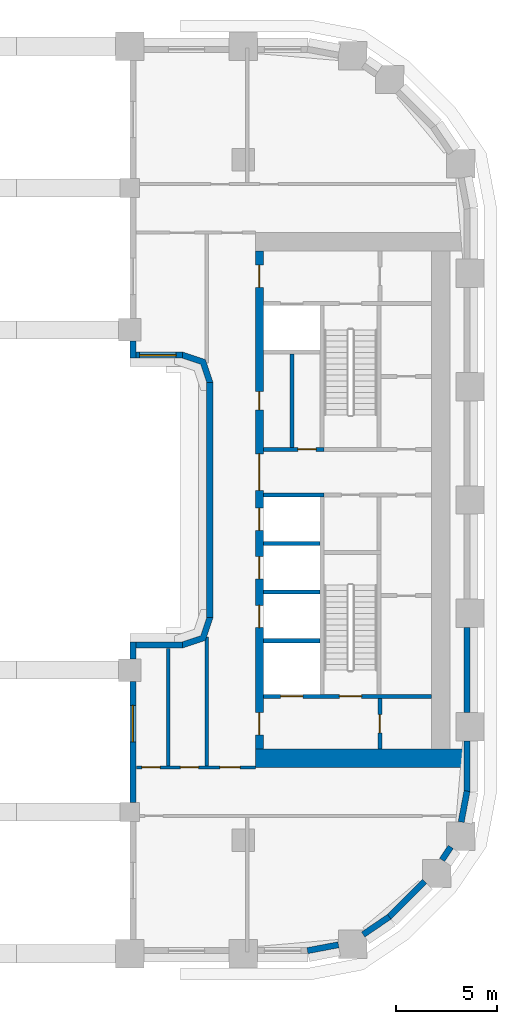
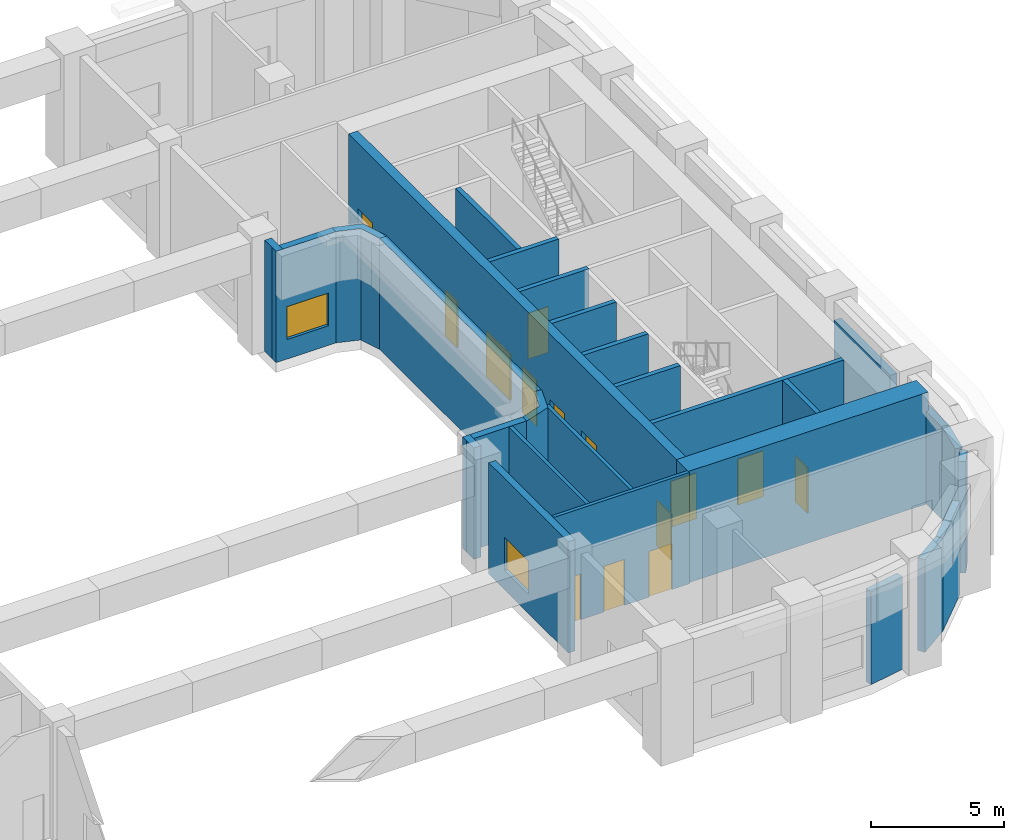
# One storey, part 4 of 14: 28 walls, 14 doors, 2 windows, 16 openings.
"""IFC4 building model written with IfcOpenShell, lengths in metres."""

from ifc_helpers import new_model, si_unit, direction, frame, frame_2d, origin, place, context, subcontext, project, spatial, polyline, rectangle, outline, extrude, material, layer, layer_set, type_object, element, fill, save


model = new_model("IFC4")

# Units and contexts
model_context = context("Model", 3, precision=1e-05, world=origin(), true_north=direction((0.0, 1.0)))
body_context = subcontext(model_context, "Body", "Model", "MODEL_VIEW")
ifc_project = project(units=[si_unit("LENGTHUNIT", "METRE"), si_unit("AREAUNIT", "SQUARE_METRE"), si_unit("VOLUMEUNIT", "CUBIC_METRE"), si_unit("PLANEANGLEUNIT", "RADIAN"), si_unit("MASSUNIT", "GRAM", prefix="KILO")], contexts=[model_context])

# Site, building, storey
site_placement = place(None, origin())
site = spatial("IfcSite", under=ifc_project, at=site_placement, CompositionType="ELEMENT")
building_placement = place(site_placement, origin())
building = spatial("IfcBuilding", under=site, at=building_placement, Name="Kiln Ring Residences", CompositionType="ELEMENT")
storey_placement = place(building_placement, frame((0.0, 0.0, 77.89990234375)))
storey = spatial("IfcBuildingStorey", under=building, at=storey_placement, Name="L19", CompositionType="ELEMENT", Elevation=77.89990234375)

# Wall
ifc_material_1 = material(Name="Gypsum board on steel studs", Category="steel")
ifc_layer_1 = layer(ifc_material_1, 0.199951171875)
ifc_layer_set_1 = layer_set([ifc_layer_1], Name="CORE-PARTITION-200")
wall_type_1 = type_object("IfcWallType", Name="CORE-PARTITION-200", PredefinedType="PARTITIONING", material=ifc_layer_set_1)
wall_1_placement = place(storey_placement, frame((19.199951171875, 2.60009765625, 0.0), z_axis=(0.0, 0.0, 1.0), x_axis=(0.0, 1.0, 0.0)))
element("IfcWall", 1, at=wall_1_placement, inside=storey, type_object=wall_type_1, Name="Core partition east L19 3", PredefinedType="PARTITIONING", context=body_context, shape_type="SweptSolid", body=[
    extrude(rectangle(XDim=4.599853515625, YDim=0.199951171875, at=frame_2d((2.2998046875, 0.0))), origin(), (0.0, 0.0, 1.0), 5.10009765625),
])

# Wall, opening, door
wall_2_placement = place(storey_placement, frame((23.550048828125, -12.300048828125, 0.0), z_axis=(0.0, 0.0, 1.0), x_axis=(0.0, 1.0, 0.0)))
wall_2 = element("IfcWall", 2, at=wall_2_placement, inside=storey, type_object=wall_type_1, Name="Core partition east L19 5", PredefinedType="PARTITIONING", context=body_context, shape_type="SweptSolid", body=[
    extrude(rectangle(XDim=2.5, YDim=0.199951171875, at=frame_2d((1.25, 0.0))), origin(), (0.0, 0.0, 1.0), 5.10009765625),
])
opening_1_placement = place(wall_2_placement, frame((0.800048828125, 0.0, 0.0)))
opening_1 = element("IfcOpeningElement", 3, at=opening_1_placement, cuts=wall_2, Name="Opening L19-CE11", PredefinedType="OPENING", context=body_context, shape_type="SweptSolid", body=[
    extrude(rectangle(XDim=0.89990234375, YDim=2.10009765625, at=frame_2d((0.449951171875, 1.050048828125))), frame((0.0, 0.10986328125, 0.0), z_axis=(0.0, -1.0, 0.0), x_axis=(1.0, 0.0, 0.0)), (0.0, 0.0, 1.0), 0.219970703125),
])
ifc_material_2 = material(Name="Steel door leaf", Category="steel")
door_type_1 = type_object("IfcDoorType", Name="CORE-DOOR-ROOM", OperationType="SINGLE_SWING_LEFT", PredefinedType="DOOR", material=ifc_material_2)
door_1_placement = place(opening_1_placement, origin())
door_1 = element("IfcDoor", 4, at=door_1_placement, inside=storey, type_object=door_type_1, Name="Store L19-CE11", OperationType="SINGLE_SWING_RIGHT", OverallHeight=2.10009765625, OverallWidth=0.89990234375, PredefinedType="DOOR", context=body_context, shape_type="SweptSolid", body=[
    extrude(rectangle(XDim=0.89990234375, YDim=2.10009765625, at=frame_2d((0.449951171875, 1.050048828125))), frame((0.0, 0.02490234375, 0.0), z_axis=(0.0, -1.0, 0.0), x_axis=(1.0, 0.0, 0.0)), (0.0, 0.0, 1.0), 0.050048828125),
])
fill(opening_1, door_1)

# Walls
ifc_material_3 = material(Name="Gypsum shaft wall system")
ifc_layer_2 = layer(ifc_material_3, 0.199951171875)
ifc_layer_set_2 = layer_set([ifc_layer_2], Name="CORE-SHAFT-WALL-200")
wall_type_2 = type_object("IfcWallType", Name="CORE-SHAFT-WALL-200", PredefinedType="PARTITIONING", material=ifc_layer_set_2)
for number, where, z_axis, x_axis, name in (
    (5, (17.800048828125, -6.949951171875, 0.0), (0.0, 0.0, 1.0), (1.0, 0.0, 0.0), "Core partition east L19 8"),
    (6, (17.800048828125, -4.550048828125, 0.0), (0.0, 0.0, 1.0), (1.0, 0.0, 0.0), "Core partition east L19 9"),
    (7, (17.800048828125, -2.14990234375, 0.0), (0.0, 0.0, 1.0), (1.0, 0.0, 0.0), "Core partition east L19 10"),
):
    element("IfcWall", number, at=place(storey_placement, frame(where, z_axis=z_axis, x_axis=x_axis)), inside=storey, type_object=wall_type_2, Name=name, PredefinedType="PARTITIONING", context=body_context, shape_type="SweptSolid", body=[
        extrude(rectangle(XDim=2.800048828125, YDim=0.199951171875, at=frame_2d((1.39990234375, 0.0))), origin(), (0.0, 0.0, 1.0), 5.10009765625),
    ])
wall_3_placement = place(storey_placement, frame((17.800048828125, 0.25, 0.0), z_axis=(0.0, 0.0, 1.0), x_axis=(1.0, 0.0, 0.0)))
element("IfcWall", 8, at=wall_3_placement, inside=storey, type_object=wall_type_2, Name="Core partition east L19 11", PredefinedType="PARTITIONING", context=body_context, shape_type="SweptSolid", body=[
    extrude(rectangle(XDim=3.0, YDim=0.199951171875, at=frame_2d((1.5, 0.0))), origin(), (0.0, 0.0, 1.0), 5.10009765625),
])

# Wall, opening, door
wall_4_placement = place(storey_placement, frame((17.800048828125, 2.5, 0.0), z_axis=(0.0, 0.0, 1.0), x_axis=(1.0, 0.0, 0.0)))
wall_4 = element("IfcWall", 9, at=wall_4_placement, inside=storey, type_object=wall_type_2, Name="Core partition east L19 12", PredefinedType="PARTITIONING", context=body_context, shape_type="SweptSolid", body=[
    extrude(rectangle(XDim=3.0, YDim=0.199951171875, at=frame_2d((1.5, 0.0))), origin(), (0.0, 0.0, 1.0), 5.10009765625),
])
opening_2_placement = place(wall_4_placement, frame((1.699951171875, 0.0, 0.0)))
opening_2 = element("IfcOpeningElement", 10, at=opening_2_placement, cuts=wall_4, Name="Opening L19-CE06", PredefinedType="OPENING", context=body_context, shape_type="SweptSolid", body=[
    extrude(rectangle(XDim=0.89990234375, YDim=2.10009765625, at=frame_2d((0.449951171875, 1.050048828125))), frame((0.0, 0.10986328125, 0.0), z_axis=(0.0, -1.0, 0.0), x_axis=(1.0, 0.0, 0.0)), (0.0, 0.0, 1.0), 0.219970703125),
])
door_2_placement = place(opening_2_placement, origin())
door_2 = element("IfcDoor", 11, at=door_2_placement, inside=storey, type_object=door_type_1, Name="Linen store L19-CE06", OperationType="SINGLE_SWING_RIGHT", OverallHeight=2.10009765625, OverallWidth=0.89990234375, PredefinedType="DOOR", context=body_context, shape_type="SweptSolid", body=[
    extrude(rectangle(XDim=0.89990234375, YDim=2.10009765625, at=frame_2d((0.449951171875, 1.050048828125))), frame((0.0, 0.02490234375, 0.0), z_axis=(0.0, -1.0, 0.0), x_axis=(1.0, 0.0, 0.0)), (0.0, 0.0, 1.0), 0.050048828125),
])
fill(opening_2, door_2)

# Wall, openings, doors
ifc_material_4 = material(Name="Concrete C40/50", Category="concrete")
ifc_layer_3 = layer(ifc_material_4, 0.199951171875)
ifc_layer_set_3 = layer_set([ifc_layer_3], Name="CORE-WALL-RC200")
wall_type_3 = type_object("IfcWallType", Name="CORE-WALL-RC200", PredefinedType="SHEAR", material=ifc_layer_set_3)
wall_5_placement = place(storey_placement, frame((17.800048828125, -9.699951171875, 0.0), z_axis=(0.0, 0.0, 1.0), x_axis=(1.0, 0.0, 0.0)))
wall_5 = element("IfcWall", 12, at=wall_5_placement, inside=storey, type_object=wall_type_3, Name="Core wall east L19 8", PredefinedType="SHEAR", context=body_context, shape_type="SweptSolid", body=[
    extrude(rectangle(XDim=8.300048828125, YDim=0.199951171875, at=frame_2d((4.14990234375, 0.0))), origin(), (0.0, 0.0, 1.0), 5.10009765625),
])
opening_3_placement = place(wall_5_placement, frame((0.85009765625, 0.0, 0.0)))
opening_3 = element("IfcOpeningElement", 13, at=opening_3_placement, cuts=wall_5, Name="Opening L19-CE01", PredefinedType="OPENING", context=body_context, shape_type="SweptSolid", body=[
    extrude(rectangle(XDim=1.10009765625, YDim=2.10009765625, at=frame_2d((0.550048828125, 1.050048828125))), frame((0.0, 0.10986328125, 0.0), z_axis=(0.0, -1.0, 0.0), x_axis=(1.0, 0.0, 0.0)), (0.0, 0.0, 1.0), 0.219970703125),
])
opening_4_placement = place(wall_5_placement, frame((3.75, 0.0, 0.0)))
opening_4 = element("IfcOpeningElement", 14, at=opening_4_placement, cuts=wall_5, Name="Opening L19-CE13", PredefinedType="OPENING", context=body_context, shape_type="SweptSolid", body=[
    extrude(rectangle(XDim=1.10009765625, YDim=2.10009765625, at=frame_2d((0.550048828125, 1.050048828125))), frame((0.0, 0.10986328125, 0.0), z_axis=(0.0, -1.0, 0.0), x_axis=(1.0, 0.0, 0.0)), (0.0, 0.0, 1.0), 0.219970703125),
])
ifc_material_5 = material(Name="Steel door leaf", Category="steel")
door_type_2 = type_object("IfcDoorType", Name="CORE-DOOR-LD", OperationType="DOUBLE_DOOR_SLIDING", PredefinedType="DOOR", material=ifc_material_5)
door_3_placement = place(opening_3_placement, origin())
door_3 = element("IfcDoor", 15, at=door_3_placement, inside=storey, type_object=door_type_2, Name="LD E-SV L19-CE01", OperationType="DOUBLE_DOOR_SLIDING", OverallHeight=2.10009765625, OverallWidth=1.10009765625, PredefinedType="DOOR", context=body_context, shape_type="SweptSolid", body=[
    extrude(rectangle(XDim=1.10009765625, YDim=2.10009765625, at=frame_2d((0.550048828125, 1.050048828125))), frame((0.0, 0.02490234375, 0.0), z_axis=(0.0, -1.0, 0.0), x_axis=(1.0, 0.0, 0.0)), (0.0, 0.0, 1.0), 0.050048828125),
])
fill(opening_3, door_3)
ifc_material_6 = material(Name="Steel door leaf", Category="steel")
door_type_3 = type_object("IfcDoorType", Name="CORE-DOOR-STAIR", OperationType="SINGLE_SWING_LEFT", PredefinedType="DOOR", material=ifc_material_6)
door_4_placement = place(opening_4_placement, origin())
door_4 = element("IfcDoor", 16, at=door_4_placement, inside=storey, type_object=door_type_3, Name="Stair E-STS L19-CE13", OperationType="SINGLE_SWING_LEFT", OverallHeight=2.10009765625, OverallWidth=1.10009765625, PredefinedType="DOOR", context=body_context, shape_type="SweptSolid", body=[
    extrude(rectangle(XDim=1.10009765625, YDim=2.10009765625, at=frame_2d((0.550048828125, 1.050048828125))), frame((0.0, 0.02490234375, 0.0), z_axis=(0.0, -1.0, 0.0), x_axis=(1.0, 0.0, 0.0)), (0.0, 0.0, 1.0), 0.050048828125),
])
fill(opening_4, door_4)

ifc_material_7 = material(Name="Concrete C60/75", Category="concrete")
ifc_layer_4 = layer(ifc_material_7, 0.39990234375)
ifc_layer_set_4 = layer_set([ifc_layer_4], Name="CORE-WALL-RC400")
wall_type_4 = type_object("IfcWallType", Name="CORE-WALL-RC400", PredefinedType="SHEAR", material=ifc_layer_set_4)
wall_6_placement = place(storey_placement, frame((17.60009765625, -12.300048828125, 0.0), z_axis=(0.0, 0.0, 1.0), x_axis=(0.0, 1.0, 0.0)))
wall_6 = element("IfcWall", 17, at=wall_6_placement, inside=storey, type_object=wall_type_4, Name="Core wall east L19 6", PredefinedType="SHEAR", context=body_context, shape_type="SweptSolid", body=[
    extrude(rectangle(XDim=24.60009765625, YDim=0.39990234375, at=frame_2d((12.300048828125, 0.0))), origin(), (0.0, 0.0, 1.0), 5.10009765625),
])
opening_5_placement = place(wall_6_placement, frame((6.0, 0.0, 0.0)))
opening_5 = element("IfcOpeningElement", 18, at=opening_5_placement, cuts=wall_6, Name="Opening L19-CE02", PredefinedType="OPENING", context=body_context, shape_type="SweptSolid", body=[
    extrude(rectangle(XDim=1.10009765625, YDim=2.10009765625, at=frame_2d((0.550048828125, 1.050048828125))), frame((0.0, 0.2099609375, 0.0), z_axis=(0.0, -1.0, 0.0), x_axis=(1.0, 0.0, 0.0)), (0.0, 0.0, 1.0), 0.419921875),
])
opening_6_placement = place(wall_6_placement, frame((8.39990234375, 0.0, 0.0)))
opening_6 = element("IfcOpeningElement", 19, at=opening_6_placement, cuts=wall_6, Name="Opening L19-CE03", PredefinedType="OPENING", context=body_context, shape_type="SweptSolid", body=[
    extrude(rectangle(XDim=1.10009765625, YDim=2.10009765625, at=frame_2d((0.550048828125, 1.050048828125))), frame((0.0, 0.2099609375, 0.0), z_axis=(0.0, -1.0, 0.0), x_axis=(1.0, 0.0, 0.0)), (0.0, 0.0, 1.0), 0.419921875),
])
opening_7_placement = place(wall_6_placement, frame((10.800048828125, 0.0, 0.0)))
opening_7 = element("IfcOpeningElement", 20, at=opening_7_placement, cuts=wall_6, Name="Opening L19-CE04", PredefinedType="OPENING", context=body_context, shape_type="SweptSolid", body=[
    extrude(rectangle(XDim=1.10009765625, YDim=2.10009765625, at=frame_2d((0.550048828125, 1.050048828125))), frame((0.0, 0.2099609375, 0.0), z_axis=(0.0, -1.0, 0.0), x_axis=(1.0, 0.0, 0.0)), (0.0, 0.0, 1.0), 0.419921875),
])
opening_8_placement = place(wall_6_placement, frame((16.75, 0.0, 0.0)))
opening_8 = element("IfcOpeningElement", 21, at=opening_8_placement, cuts=wall_6, Name="Opening L19-CE05", PredefinedType="OPENING", context=body_context, shape_type="SweptSolid", body=[
    extrude(rectangle(XDim=0.89990234375, YDim=2.10009765625, at=frame_2d((0.449951171875, 1.050048828125))), frame((0.0, 0.2099609375, 0.0), z_axis=(0.0, -1.0, 0.0), x_axis=(1.0, 0.0, 0.0)), (0.0, 0.0, 1.0), 0.419921875),
])
opening_9_placement = place(wall_6_placement, frame((22.800048828125, 0.0, 0.0)))
opening_9 = element("IfcOpeningElement", 22, at=opening_9_placement, cuts=wall_6, Name="Opening L19-CE08", PredefinedType="OPENING", context=body_context, shape_type="SweptSolid", body=[
    extrude(rectangle(XDim=1.10009765625, YDim=2.10009765625, at=frame_2d((0.550048828125, 1.050048828125))), frame((0.0, 0.2099609375, 0.0), z_axis=(0.0, -1.0, 0.0), x_axis=(1.0, 0.0, 0.0)), (0.0, 0.0, 1.0), 0.419921875),
])
opening_10_placement = place(wall_6_placement, frame((0.699951171875, 0.0, 0.0)))
opening_10 = element("IfcOpeningElement", 23, at=opening_10_placement, cuts=wall_6, Name="Opening L19-CE09", PredefinedType="OPENING", context=body_context, shape_type="SweptSolid", body=[
    extrude(rectangle(XDim=1.10009765625, YDim=2.10009765625, at=frame_2d((0.550048828125, 1.050048828125))), frame((0.0, 0.2099609375, 0.0), z_axis=(0.0, -1.0, 0.0), x_axis=(1.0, 0.0, 0.0)), (0.0, 0.0, 1.0), 0.419921875),
])
opening_11_placement = place(wall_6_placement, frame((12.77490234375, 0.0, 0.0)))
opening_11 = element("IfcOpeningElement", 24, at=opening_11_placement, cuts=wall_6, Name="Opening L19-CE14", PredefinedType="OPENING", context=body_context, shape_type="SweptSolid", body=[
    extrude(rectangle(XDim=1.800048828125, YDim=2.10009765625, at=frame_2d((0.89990234375, 1.050048828125))), frame((0.0, 0.2099609375, 0.0), z_axis=(0.0, -1.0, 0.0), x_axis=(1.0, 0.0, 0.0)), (0.0, 0.0, 1.0), 0.419921875),
])
door_5_placement = place(opening_5_placement, origin())
door_5 = element("IfcDoor", 25, at=door_5_placement, inside=storey, type_object=door_type_2, Name="LD E-L1 L19-CE02", OperationType="DOUBLE_DOOR_SLIDING", OverallHeight=2.10009765625, OverallWidth=1.10009765625, PredefinedType="DOOR", context=body_context, shape_type="SweptSolid", body=[
    extrude(rectangle(XDim=1.10009765625, YDim=2.10009765625, at=frame_2d((0.550048828125, 1.050048828125))), frame((0.0, 0.02490234375, 0.0), z_axis=(0.0, -1.0, 0.0), x_axis=(1.0, 0.0, 0.0)), (0.0, 0.0, 1.0), 0.050048828125),
])
fill(opening_5, door_5)
door_6_placement = place(opening_6_placement, origin())
door_6 = element("IfcDoor", 26, at=door_6_placement, inside=storey, type_object=door_type_2, Name="LD E-L2 L19-CE03", OperationType="DOUBLE_DOOR_SLIDING", OverallHeight=2.10009765625, OverallWidth=1.10009765625, PredefinedType="DOOR", context=body_context, shape_type="SweptSolid", body=[
    extrude(rectangle(XDim=1.10009765625, YDim=2.10009765625, at=frame_2d((0.550048828125, 1.050048828125))), frame((0.0, 0.02490234375, 0.0), z_axis=(0.0, -1.0, 0.0), x_axis=(1.0, 0.0, 0.0)), (0.0, 0.0, 1.0), 0.050048828125),
])
fill(opening_6, door_6)
door_7_placement = place(opening_7_placement, origin())
door_7 = element("IfcDoor", 27, at=door_7_placement, inside=storey, type_object=door_type_2, Name="LD E-L3 L19-CE04", OperationType="DOUBLE_DOOR_SLIDING", OverallHeight=2.10009765625, OverallWidth=1.10009765625, PredefinedType="DOOR", context=body_context, shape_type="SweptSolid", body=[
    extrude(rectangle(XDim=1.10009765625, YDim=2.10009765625, at=frame_2d((0.550048828125, 1.050048828125))), frame((0.0, 0.02490234375, 0.0), z_axis=(0.0, -1.0, 0.0), x_axis=(1.0, 0.0, 0.0)), (0.0, 0.0, 1.0), 0.050048828125),
])
fill(opening_7, door_7)
ifc_material_8 = material(Name="Steel door leaf", Category="steel")
door_type_4 = type_object("IfcDoorType", Name="CORE-DOOR-LOBBY", OperationType="SINGLE_SWING_LEFT", PredefinedType="DOOR", material=ifc_material_8)
door_8_placement = place(opening_9_placement, origin())
door_8 = element("IfcDoor", 28, at=door_8_placement, inside=storey, type_object=door_type_4, Name="FFL L19-CE08", OperationType="SINGLE_SWING_RIGHT", OverallHeight=2.10009765625, OverallWidth=1.10009765625, PredefinedType="DOOR", context=body_context, shape_type="SweptSolid", body=[
    extrude(rectangle(XDim=1.10009765625, YDim=2.10009765625, at=frame_2d((0.550048828125, 1.050048828125))), frame((0.0, 0.02490234375, 0.0), z_axis=(0.0, -1.0, 0.0), x_axis=(1.0, 0.0, 0.0)), (0.0, 0.0, 1.0), 0.050048828125),
])
fill(opening_9, door_8)
door_9_placement = place(opening_10_placement, origin())
door_9 = element("IfcDoor", 29, at=door_9_placement, inside=storey, type_object=door_type_4, Name="SVL L19-CE09", OperationType="SINGLE_SWING_LEFT", OverallHeight=2.10009765625, OverallWidth=1.10009765625, PredefinedType="DOOR", context=body_context, shape_type="SweptSolid", body=[
    extrude(rectangle(XDim=1.10009765625, YDim=2.10009765625, at=frame_2d((0.550048828125, 1.050048828125))), frame((0.0, 0.02490234375, 0.0), z_axis=(0.0, -1.0, 0.0), x_axis=(1.0, 0.0, 0.0)), (0.0, 0.0, 1.0), 0.050048828125),
])
fill(opening_10, door_9)
ifc_material_9 = material(Name="Steel door leaf", Category="steel")
door_type_5 = type_object("IfcDoorType", Name="CORE-DOOR-PASS", OperationType="DOUBLE_DOOR_SINGLE_SWING", PredefinedType="DOOR", material=ifc_material_9)
door_10_placement = place(opening_11_placement, origin())
door_10 = element("IfcDoor", 30, at=door_10_placement, inside=storey, type_object=door_type_5, Name="Core passage L19-CE14", OperationType="DOUBLE_DOOR_SINGLE_SWING", OverallHeight=2.10009765625, OverallWidth=1.800048828125, PredefinedType="DOOR", context=body_context, shape_type="SweptSolid", body=[
    extrude(rectangle(XDim=1.800048828125, YDim=2.10009765625, at=frame_2d((0.89990234375, 1.050048828125))), frame((0.0, 0.02490234375, 0.0), z_axis=(0.0, -1.0, 0.0), x_axis=(1.0, 0.0, 0.0)), (0.0, 0.0, 1.0), 0.050048828125),
])
fill(opening_11, door_10)
door_11_placement = place(opening_8_placement, origin())
door_11 = element("IfcDoor", 31, at=door_11_placement, inside=storey, type_object=door_type_1, Name="Janitor's store L19-CE05", OperationType="SINGLE_SWING_RIGHT", OverallHeight=2.10009765625, OverallWidth=0.89990234375, PredefinedType="DOOR", context=body_context, shape_type="SweptSolid", body=[
    extrude(rectangle(XDim=0.89990234375, YDim=2.10009765625, at=frame_2d((0.449951171875, 1.050048828125))), frame((0.0, 0.02490234375, 0.0), z_axis=(0.0, -1.0, 0.0), x_axis=(1.0, 0.0, 0.0)), (0.0, 0.0, 1.0), 0.050048828125),
])
fill(opening_8, door_11)

# Walls
ifc_material_10 = material(Name="Concrete C60/75", Category="concrete")
ifc_layer_5 = layer(ifc_material_10, 0.89990234375)
ifc_layer_set_5 = layer_set([ifc_layer_5], Name="CORE-WALL-RC900")
wall_type_5 = type_object("IfcWallType", Name="CORE-WALL-RC900", PredefinedType="SHEAR", material=ifc_layer_set_5)
wall_7_placement = place(storey_placement, frame((17.39990234375, -12.75, 0.0), z_axis=(0.0, 0.0, 1.0), x_axis=(1.0, 0.0, 0.0)))
element("IfcWall", 32, at=wall_7_placement, inside=storey, type_object=wall_type_5, Name="Core wall east L19 5", PredefinedType="SHEAR", context=body_context, shape_type="SweptSolid", body=[
    extrude(rectangle(XDim=10.400146484375, YDim=0.89990234375, at=frame_2d((5.2001953125, 0.0))), origin(), (0.0, 0.0, 1.0), 5.10009765625),
])
ifc_material_11 = material(Name="Brick masonry, dark clay brick", Category="masonry")
ifc_layer_6 = layer(ifc_material_11, 0.300048828125)
ifc_layer_set_6 = layer_set([ifc_layer_6], Name="EW-300 BRICK WALL")
wall_type_6 = type_object("IfcWallType", Name="EW-300 BRICK WALL", PredefinedType="SOLIDWALL", material=ifc_layer_set_6)
wall_8_placement = place(storey_placement, frame((13.800048828125, -7.14990234375, 0.0), z_axis=(0.0, 0.0, 1.0), x_axis=(-1.0, 0.0, 0.0)))
element("IfcWall", 33, at=wall_8_placement, inside=storey, type_object=wall_type_6, Name="Facade wall L19 30", PredefinedType="SOLIDWALL", context=body_context, shape_type="SweptSolid", body=[
    extrude(rectangle(XDim=2.60009765625, YDim=0.300048828125, at=frame_2d((1.300048828125, 0.0))), origin(), (0.0, 0.0, 1.0), 5.10009765625),
])
wall_9_placement = place(storey_placement, frame((11.35009765625, -7.0, 0.0), z_axis=(0.0, 0.0, 1.0), x_axis=(0.0, -1.0, 0.0)))
element("IfcWall", 34, at=wall_9_placement, inside=storey, type_object=wall_type_6, Name="Facade wall L19 31", PredefinedType="SOLIDWALL", context=body_context, shape_type="SweptSolid", body=[
    extrude(rectangle(XDim=0.85009765625, YDim=0.300048828125, at=frame_2d((0.425048828125, 0.0))), origin(), (0.0, 0.0, 1.0), 5.10009765625),
])

# Wall, opening, window
wall_10_placement = place(storey_placement, frame((11.35009765625, -8.949951171875, 0.0), z_axis=(0.0, 0.0, 1.0), x_axis=(0.0, -1.0, 0.0)))
wall_10 = element("IfcWall", 35, at=wall_10_placement, inside=storey, type_object=wall_type_6, Name="Facade wall L19 32", PredefinedType="SOLIDWALL", context=body_context, shape_type="SweptSolid", body=[
    extrude(rectangle(XDim=5.97509765625, YDim=0.300048828125, at=frame_2d((2.987548828125, 0.0))), origin(), (0.0, 0.0, 1.0), 5.10009765625),
])
opening_12_placement = place(wall_10_placement, frame((1.1875, 0.0, 0.89990234375)))
opening_12 = element("IfcOpeningElement", 36, at=opening_12_placement, cuts=wall_10, Name="Opening LV1", PredefinedType="OPENING", context=body_context, shape_type="SweptSolid", body=[
    extrude(rectangle(XDim=1.800048828125, YDim=1.5, at=frame_2d((0.89990234375, 0.75))), frame((0.0, 0.159912109375, 0.0), z_axis=(0.0, -1.0, 0.0), x_axis=(1.0, 0.0, 0.0)), (0.0, 0.0, 1.0), 0.320068359375),
])
ifc_material_12 = material(Name="Aluminium louvre", Category="aluminium")
window_type = type_object("IfcWindowType", Name="LOUVRED VENT 1800 x 1500", PartitioningType="SINGLE_PANEL", PredefinedType="WINDOW", material=ifc_material_12)
window_1_placement = place(opening_12_placement, origin())
window_1 = element("IfcWindow", 37, at=window_1_placement, inside=storey, type_object=window_type, Name="Louvred vent L19 9", OverallHeight=1.5, OverallWidth=1.800048828125, PartitioningType="SINGLE_PANEL", PredefinedType="WINDOW", context=body_context, shape_type="SweptSolid", body=[
    extrude(rectangle(XDim=1.800048828125, YDim=1.5, at=frame_2d((0.89990234375, 0.75))), frame((0.0, 0.030029296875, 0.0), z_axis=(0.0, -1.0, 0.0), x_axis=(1.0, 0.0, 0.0)), (0.0, 0.0, 1.0), 0.06005859375),
])
fill(opening_12, window_1)

# Walls
wall_11_placement = place(storey_placement, frame((19.971923828125, -22.252685546875, 0.0), z_axis=(0.0, 0.0, 1.0), x_axis=(0.982297345734, 0.187328386968, 0.0)))
element("IfcWall", 38, at=wall_11_placement, inside=storey, type_object=wall_type_6, Name="Facade wall L19 36", PredefinedType="SOLIDWALL", context=body_context, shape_type="SweptSolid", body=[
    extrude(rectangle(XDim=1.55615234375, YDim=0.300048828125, at=frame_2d((0.778076171875, 0.0))), origin(), (0.0, 0.0, 1.0), 4.25),
])
wall_12_placement = place(storey_placement, frame((22.725830078125, -21.45361328125, 0.0), z_axis=(0.0, 0.0, 1.0), x_axis=(0.827019875346, 0.562172683241, 0.0)))
element("IfcWall", 39, at=wall_12_placement, inside=storey, type_object=wall_type_6, Name="Facade wall L19 37", PredefinedType="SOLIDWALL", context=body_context, shape_type="SweptSolid", body=[
    extrude(rectangle(XDim=1.555908203125, YDim=0.300048828125, at=frame_2d((0.77783203125, 0.0))), origin(), (0.0, 0.0, 1.0), 4.25),
])
wall_13_placement = place(storey_placement, frame((23.990966796875, -20.596923828125, 0.0), z_axis=(0.0, 0.0, 1.0), x_axis=(0.707106781187, 0.707106781187, 0.0)))
element("IfcWall", 40, at=wall_13_placement, inside=storey, type_object=wall_type_6, Name="Facade wall L19 38", PredefinedType="SOLIDWALL", context=body_context, shape_type="SweptSolid", body=[
    extrude(rectangle(XDim=2.5, YDim=0.300048828125, at=frame_2d((1.25, 0.0))), origin(), (0.0, 0.0, 1.0), 4.25),
])
wall_14_placement = place(storey_placement, frame((26.61669921875, -17.7685546875, 0.0), z_axis=(0.0, 0.0, 1.0), x_axis=(0.562000651531, 0.827136788977, 0.0)))
element("IfcWall", 41, at=wall_14_placement, inside=storey, type_object=wall_type_6, Name="Facade wall L19 39", PredefinedType="SOLIDWALL", context=body_context, shape_type="SweptSolid", body=[
    extrude(rectangle(XDim=0.777099609375, YDim=0.300048828125, at=frame_2d((0.388671875, 0.0))), origin(), (0.0, 0.0, 1.0), 5.10009765625),
])
wall_15_placement = place(storey_placement, frame((27.56103515625, -15.900390625, 0.0), z_axis=(0.0, 0.0, 1.0), x_axis=(0.187328386968, 0.982297345734, 0.0)))
element("IfcWall", 42, at=wall_15_placement, inside=storey, type_object=wall_type_6, Name="Facade wall L19 40", PredefinedType="SOLIDWALL", context=body_context, shape_type="SweptSolid", body=[
    extrude(rectangle(XDim=1.55615234375, YDim=0.300048828125, at=frame_2d((0.778076171875, 0.0))), origin(), (0.0, 0.0, 1.0), 4.25),
])
wall_16_placement = place(storey_placement, frame((27.85009765625, -14.39990234375, 0.0), z_axis=(0.0, 0.0, 1.0), x_axis=(0.0, 1.0, 0.0)))
element("IfcWall", 43, at=wall_16_placement, inside=storey, type_object=wall_type_6, Name="Facade wall L19 41", PredefinedType="SOLIDWALL", context=body_context, shape_type="SweptSolid", body=[
    extrude(rectangle(XDim=2.5, YDim=0.300048828125, at=frame_2d((1.25, 0.0))), origin(), (0.0, 0.0, 1.0), 4.25),
])
wall_17_placement = place(storey_placement, frame((27.85009765625, -10.5, 0.0), z_axis=(0.0, 0.0, 1.0), x_axis=(0.0, 1.0, 0.0)))
element("IfcWall", 44, at=wall_17_placement, inside=storey, type_object=wall_type_6, Name="Facade wall L19 42", PredefinedType="SOLIDWALL", context=body_context, shape_type="SweptSolid", body=[
    extrude(rectangle(XDim=4.199951171875, YDim=0.300048828125, at=frame_2d((2.10009765625, 0.0))), origin(), (0.0, 0.0, 1.0), 4.25),
])
wall_18_placement = place(storey_placement, frame((11.35009765625, 7.85009765625, 0.0), z_axis=(0.0, 0.0, 1.0), x_axis=(0.0, -1.0, 0.0)))
element("IfcWall", 45, at=wall_18_placement, inside=storey, type_object=wall_type_6, Name="Facade wall L19 56", PredefinedType="SOLIDWALL", context=body_context, shape_type="SweptSolid", body=[
    extrude(rectangle(XDim=0.85009765625, YDim=0.300048828125, at=frame_2d((0.425048828125, 0.0))), origin(), (0.0, 0.0, 1.0), 5.10009765625),
])

# Wall, opening, window
wall_19_placement = place(storey_placement, frame((11.199951171875, 7.14990234375, 0.0), z_axis=(0.0, 0.0, 1.0), x_axis=(1.0, 0.0, 0.0)))
wall_19 = element("IfcWall", 46, at=wall_19_placement, inside=storey, type_object=wall_type_6, Name="Facade wall L19 57", PredefinedType="SOLIDWALL", context=body_context, shape_type="SweptSolid", body=[
    extrude(rectangle(XDim=2.60009765625, YDim=0.300048828125, at=frame_2d((1.300048828125, 0.0))), origin(), (0.0, 0.0, 1.0), 5.10009765625),
])
opening_13_placement = place(wall_19_placement, frame((0.482421875, 0.0, 0.89990234375)))
opening_13 = element("IfcOpeningElement", 47, at=opening_13_placement, cuts=wall_19, Name="Opening LV1", PredefinedType="OPENING", context=body_context, shape_type="SweptSolid", body=[
    extrude(rectangle(XDim=1.800048828125, YDim=1.5, at=frame_2d((0.89990234375, 0.75))), frame((0.0, 0.159912109375, 0.0), z_axis=(0.0, -1.0, 0.0), x_axis=(1.0, 0.0, 0.0)), (0.0, 0.0, 1.0), 0.320068359375),
])
window_2_placement = place(opening_13_placement, origin())
window_2 = element("IfcWindow", 48, at=window_2_placement, inside=storey, type_object=window_type, Name="Louvred vent L19 17", OverallHeight=1.5, OverallWidth=1.800048828125, PartitioningType="SINGLE_PANEL", PredefinedType="WINDOW", context=body_context, shape_type="SweptSolid", body=[
    extrude(rectangle(XDim=1.800048828125, YDim=1.5, at=frame_2d((0.89990234375, 0.75))), frame((0.0, 0.030029296875, 0.0), z_axis=(0.0, -1.0, 0.0), x_axis=(1.0, 0.0, 0.0)), (0.0, 0.0, 1.0), 0.06005859375),
])
fill(opening_13, window_2)

# Walls
wall_20_placement = place(storey_placement, frame((15.14990234375, 5.800048828125, 0.0), z_axis=(0.0, 0.0, 1.0), x_axis=(0.0, -1.0, 0.0)))
element("IfcWall", 49, at=wall_20_placement, inside=storey, type_object=wall_type_6, Name="Facade wall L19 58", PredefinedType="SOLIDWALL", context=body_context, shape_type="SweptSolid", body=[
    extrude(rectangle(XDim=11.60009765625, YDim=0.300048828125, at=frame_2d((5.800048828125, 0.0))), origin(), (0.0, 0.0, 1.0), 5.10009765625),
])
placement = place(storey_placement, origin())
element("IfcWall", 50, at=placement, inside=storey, type_object=wall_type_6, Name="Corner wall L19 3", PredefinedType="SOLIDWALL", context=body_context, shape_type="SweptSolid", body=[
    extrude(outline(polyline([(13.800048828125, 7.0), (14.699951171875, 6.699951171875), (15.0, 5.800048828125), (15.300048828125, 5.800048828125), (15.300048828125, 5.8486328125), (14.937255859375, 6.937255859375), (13.8486328125, 7.300048828125), (13.800048828125, 7.300048828125), (13.800048828125, 7.0)])), origin(), (0.0, 0.0, 1.0), 5.10009765625),
])
element("IfcWall", 51, at=placement, inside=storey, type_object=wall_type_6, Name="Corner wall L19 4", PredefinedType="SOLIDWALL", context=body_context, shape_type="SweptSolid", body=[
    extrude(outline(polyline([(15.0, -5.800048828125), (14.699951171875, -6.699951171875), (13.800048828125, -7.0), (13.800048828125, -7.300048828125), (13.8486328125, -7.300048828125), (14.937255859375, -6.937255859375), (15.300048828125, -5.8486328125), (15.300048828125, -5.800048828125), (15.0, -5.800048828125)])), origin(), (0.0, 0.0, 1.0), 5.10009765625),
])

# Wall, openings, doors
ifc_material_13 = material(Name="Brick masonry partition", Category="masonry")
ifc_layer_7 = layer(ifc_material_13, 0.14990234375)
ifc_layer_set_7 = layer_set([ifc_layer_7], Name="PARTITION-150-ei60")
wall_type_7 = type_object("IfcWallType", Name="PARTITION-150-ei60", PredefinedType="PARTITIONING", material=ifc_layer_set_7)
wall_23_placement = place(storey_placement, frame((11.52001953125, -13.199951171875, 0.0), z_axis=(0.0, 0.0, 1.0), x_axis=(1.0, 0.0, 0.0)))
wall_23 = element("IfcWall", 52, at=wall_23_placement, inside=storey, type_object=wall_type_7, Name="Partition 003", PredefinedType="PARTITIONING", context=body_context, shape_type="SweptSolid", body=[
    extrude(rectangle(XDim=5.8798828125, YDim=0.14990234375, at=frame_2d((2.93994140625, 0.0))), origin(), (0.0, 0.0, 1.0), 5.10009765625),
])
opening_14_placement = place(wall_23_placement, frame((4.1298828125, 0.0, 0.0)))
opening_14 = element("IfcOpeningElement", 53, at=opening_14_placement, cuts=wall_23, Name="Opening L19-D014", PredefinedType="OPENING", context=body_context, shape_type="SweptSolid", body=[
    extrude(rectangle(XDim=1.0, YDim=2.10009765625, at=frame_2d((0.5, 1.050048828125))), frame((0.0, 0.0849609375, 0.0), z_axis=(0.0, -1.0, 0.0), x_axis=(1.0, 0.0, 0.0)), (0.0, 0.0, 1.0), 0.169921875),
])
opening_15_placement = place(wall_23_placement, frame((0.280029296875, 0.0, 0.0)))
opening_15 = element("IfcOpeningElement", 54, at=opening_15_placement, cuts=wall_23, Name="Opening L19-D015", PredefinedType="OPENING", context=body_context, shape_type="SweptSolid", body=[
    extrude(rectangle(XDim=0.89990234375, YDim=2.10009765625, at=frame_2d((0.449951171875, 1.050048828125))), frame((0.0, 0.0849609375, 0.0), z_axis=(0.0, -1.0, 0.0), x_axis=(1.0, 0.0, 0.0)), (0.0, 0.0, 1.0), 0.169921875),
])
opening_16_placement = place(wall_23_placement, frame((2.179931640625, 0.0, 0.0)))
opening_16 = element("IfcOpeningElement", 55, at=opening_16_placement, cuts=wall_23, Name="Opening L19-D016", PredefinedType="OPENING", context=body_context, shape_type="SweptSolid", body=[
    extrude(rectangle(XDim=0.89990234375, YDim=2.10009765625, at=frame_2d((0.449951171875, 1.050048828125))), frame((0.0, 0.0849609375, 0.0), z_axis=(0.0, -1.0, 0.0), x_axis=(1.0, 0.0, 0.0)), (0.0, 0.0, 1.0), 0.169921875),
])
ifc_material_14 = material(Name="Steel faced fire door leaf", Category="steel")
door_type_6 = type_object("IfcDoorType", Name="FLAT-DOOR-1000-FR", OperationType="SINGLE_SWING_LEFT", PredefinedType="DOOR", material=ifc_material_14)
door_12_placement = place(opening_14_placement, origin())
door_12 = element("IfcDoor", 56, at=door_12_placement, inside=storey, type_object=door_type_6, Name="Door L19-D014", OperationType="SINGLE_SWING_LEFT", OverallHeight=2.10009765625, OverallWidth=1.0, PredefinedType="DOOR", context=body_context, shape_type="SweptSolid", body=[
    extrude(rectangle(XDim=1.0, YDim=2.10009765625, at=frame_2d((0.5, 1.050048828125))), frame((0.0, 0.02490234375, 0.0), z_axis=(0.0, -1.0, 0.0), x_axis=(1.0, 0.0, 0.0)), (0.0, 0.0, 1.0), 0.050048828125),
])
fill(opening_14, door_12)
ifc_material_15 = material(Name="Steel faced fire door leaf", Category="steel")
door_type_7 = type_object("IfcDoorType", Name="FLAT-DOOR-900-FR", OperationType="SINGLE_SWING_LEFT", PredefinedType="DOOR", material=ifc_material_15)
door_13_placement = place(opening_15_placement, origin())
door_13 = element("IfcDoor", 57, at=door_13_placement, inside=storey, type_object=door_type_7, Name="Door L19-D015", OperationType="SINGLE_SWING_LEFT", OverallHeight=2.10009765625, OverallWidth=0.89990234375, PredefinedType="DOOR", context=body_context, shape_type="SweptSolid", body=[
    extrude(rectangle(XDim=0.89990234375, YDim=2.10009765625, at=frame_2d((0.449951171875, 1.050048828125))), frame((0.0, 0.02490234375, 0.0), z_axis=(0.0, -1.0, 0.0), x_axis=(1.0, 0.0, 0.0)), (0.0, 0.0, 1.0), 0.050048828125),
])
fill(opening_15, door_13)
door_14_placement = place(opening_16_placement, origin())
door_14 = element("IfcDoor", 58, at=door_14_placement, inside=storey, type_object=door_type_7, Name="Door L19-D016", OperationType="SINGLE_SWING_RIGHT", OverallHeight=2.10009765625, OverallWidth=0.89990234375, PredefinedType="DOOR", context=body_context, shape_type="SweptSolid", body=[
    extrude(rectangle(XDim=0.89990234375, YDim=2.10009765625, at=frame_2d((0.449951171875, 1.050048828125))), frame((0.0, 0.02490234375, 0.0), z_axis=(0.0, -1.0, 0.0), x_axis=(1.0, 0.0, 0.0)), (0.0, 0.0, 1.0), 0.050048828125),
])
fill(opening_16, door_14)

# Walls
wall_24_placement = place(storey_placement, frame((13.10009765625, -13.125, 0.0), z_axis=(0.0, 0.0, 1.0), x_axis=(0.0, 1.0, 0.0)))
element("IfcWall", 59, at=wall_24_placement, inside=storey, type_object=wall_type_7, Name="Partition 013", PredefinedType="PARTITIONING", context=body_context, shape_type="SweptSolid", body=[
    extrude(rectangle(XDim=5.804931640625, YDim=0.14990234375, at=frame_2d((2.90234375, 0.0))), origin(), (0.0, 0.0, 1.0), 5.10009765625),
])
wall_25_placement = place(storey_placement, frame((15.0, -13.125, 0.0), z_axis=(0.0, 0.0, 1.0), x_axis=(0.0, 1.0, 0.0)))
element("IfcWall", 60, at=wall_25_placement, inside=storey, type_object=wall_type_7, Name="Partition 014", PredefinedType="PARTITIONING", context=body_context, shape_type="SweptSolid", body=[
    extrude(rectangle(XDim=6.356201171875, YDim=0.14990234375, at=frame_2d((3.17822265625, 0.0))), origin(), (0.0, 0.0, 1.0), 5.10009765625),
])

save(model, "model.ifc")
